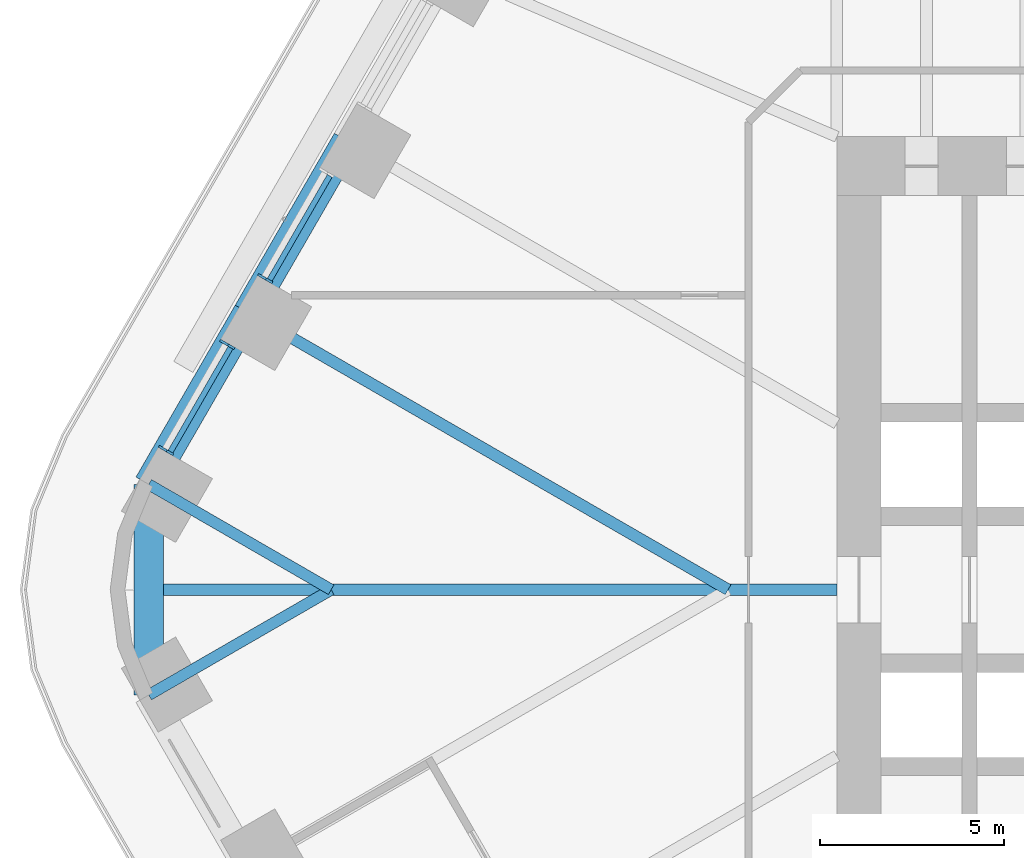
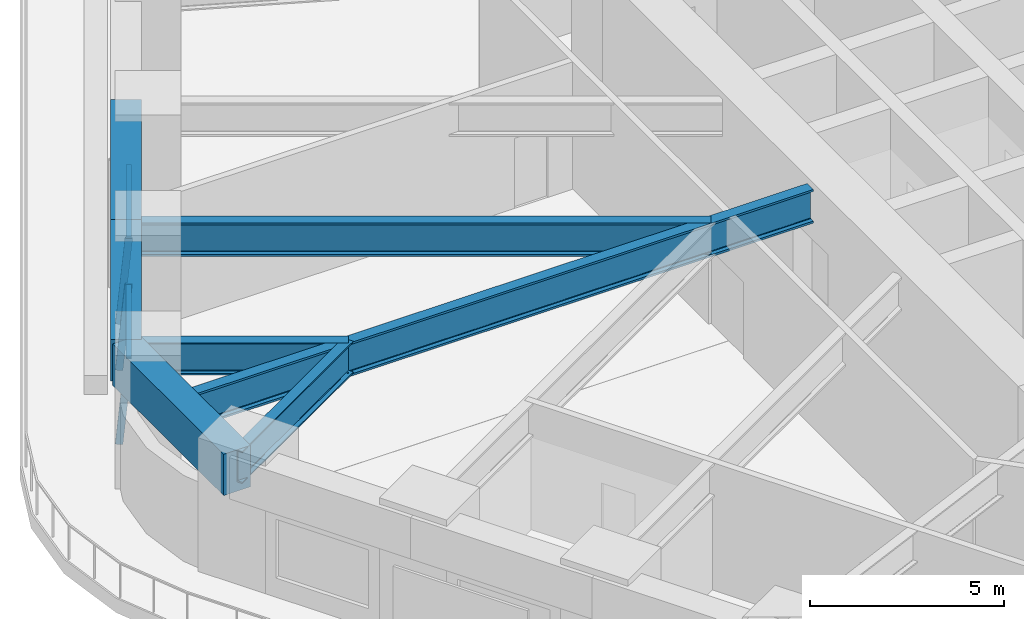
# One storey, part 6 of 24: 7 beams, 5 members, 2 elements without a shape of their own.
"""IFC4 building model written with IfcOpenShell, lengths in metres."""

from ifc_helpers import new_model, si_unit, direction, frame, origin, origin_2d, place, context, subcontext, project, spatial, rectangle, i_section, extrude, material, material_profile, profile_set, type_object, element, aggregate, save


model = new_model("IFC4")

# Units and contexts
model_context = context("Model", 3, precision=1e-05, world=origin(), true_north=direction((0.0, 1.0)))
body_context = subcontext(model_context, "Body", "Model", "MODEL_VIEW")
ifc_project = project(units=[si_unit("LENGTHUNIT", "METRE"), si_unit("AREAUNIT", "SQUARE_METRE"), si_unit("VOLUMEUNIT", "CUBIC_METRE"), si_unit("PLANEANGLEUNIT", "RADIAN"), si_unit("MASSUNIT", "GRAM", prefix="KILO")], contexts=[model_context])

# Site, building, storey
site_placement = place(None, origin())
site = spatial("IfcSite", under=ifc_project, at=site_placement, CompositionType="ELEMENT")
building_placement = place(site_placement, origin())
building = spatial("IfcBuilding", under=site, at=building_placement, Name="Tarfa Lantern Tower", CompositionType="ELEMENT")
storey_placement = place(building_placement, frame((0.0, 0.0, 65.5)))
storey = spatial("IfcBuildingStorey", under=building, at=storey_placement, Name="L14", CompositionType="ELEMENT", Elevation=65.5)

# Curtain wall, member
ifc_material_1 = material(Name="Aluminium framed curtain wall", Category="aluminium")
curtain_wall_type = type_object("IfcCurtainWallType", Name="CW1 CANTED GLAZING LOW ZONE 2700", PredefinedType="USERDEFINED", material=ifc_material_1)
curtain_wall_1_placement = place(storey_placement, origin())
curtain_wall_1 = element("IfcCurtainWall", 1, at=curtain_wall_1_placement, inside=storey, type_object=curtain_wall_type, Name="CW1 NW L14", ObjectType="CURTAIN WALL", PredefinedType="USERDEFINED")
ifc_material_2 = material(Name="Aluminium mullion", Category="aluminium")
ifc_material_profile_1 = material_profile(ifc_material_2, rectangle(XDim=0.06494140625, YDim=0.199951171875, at=origin_2d()), Name="AL MULLION 65x200")
ifc_profile_set_1 = profile_set([ifc_material_profile_1], Name="Aluminium mullion")
member_type_1 = type_object("IfcMemberType", Name="CWM1 MULLION 65x200", PredefinedType="MULLION", material=ifc_profile_set_1)
member_1_placement = place(storey_placement, frame((-34.230712890625, 8.5107421875, 0.0), z_axis=(0.07986442134, -0.046099868913, 0.99573916077), x_axis=(0.499919672301, 0.866071776036, 0.0)))
member_1 = element("IfcMember", 2, at=member_1_placement, type_object=member_type_1, Name="CW1 mullion 2", PredefinedType="MULLION", context=body_context, shape_type="SweptSolid", body=[
    extrude(rectangle(XDim=0.06494140625, YDim=0.199951171875, at=origin_2d()), origin(), (0.0, 0.0, 1.0), 2.71142578125),
])

# Curtain wall, members
curtain_wall_2_placement = place(storey_placement, origin())
curtain_wall_2 = element("IfcCurtainWall", 3, at=curtain_wall_2_placement, inside=storey, type_object=curtain_wall_type, Name="CW1 NW L14", ObjectType="CURTAIN WALL", PredefinedType="USERDEFINED")
member_2_placement = place(storey_placement, frame((-35.26318359375, 6.722412109375, 0.0), z_axis=(0.07986442134, -0.046099868913, 0.99573916077), x_axis=(0.499919672301, 0.866071776036, 0.0)))
member_2 = element("IfcMember", 4, at=member_2_placement, type_object=member_type_1, Name="CW1 mullion 1", PredefinedType="MULLION", context=body_context, shape_type="SweptSolid", body=[
    extrude(rectangle(XDim=0.06494140625, YDim=0.199951171875, at=origin_2d()), origin(), (0.0, 0.0, 1.0), 2.71142578125),
])
member_3_placement = place(storey_placement, frame((-36.9248046875, 3.84423828125, 0.0), z_axis=(0.079774955866, -0.04610020023, 0.995746317068), x_axis=(0.500342721131, 0.865827443207, 0.0)))
member_3 = element("IfcMember", 5, at=member_3_placement, type_object=member_type_1, Name="CW1 mullion 2", PredefinedType="MULLION", context=body_context, shape_type="SweptSolid", body=[
    extrude(rectangle(XDim=0.06494140625, YDim=0.199951171875, at=origin_2d()), origin(), (0.0, 0.0, 1.0), 2.71142578125),
])

# Member
ifc_material_3 = material(Name="Aluminium transom", Category="aluminium")
ifc_material_profile_2 = material_profile(ifc_material_3, rectangle(XDim=0.14990234375, YDim=0.06494140625, at=origin_2d()), Name="AL TRANSOM 150x65")
ifc_profile_set_2 = profile_set([ifc_material_profile_2], Name="Aluminium transom")
member_type_2 = type_object("IfcMemberType", Name="CWT1 TRANSOM 150x65", PredefinedType="USERDEFINED", material=ifc_profile_set_2)
member_4_placement = place(storey_placement, frame((-32.37109375, 11.237548828125, 2.66748046875), z_axis=(-0.500022939057, -0.866012159509, 0.0), x_axis=(0.866012159509, -0.500022939057, 0.0)))
member_4 = element("IfcMember", 6, at=member_4_placement, type_object=member_type_2, Name="CW1 transom 1.2", ObjectType="TRANSOM", PredefinedType="USERDEFINED", context=body_context, shape_type="SweptSolid", body=[
    extrude(rectangle(XDim=0.14990234375, YDim=0.06494140625, at=origin_2d()), origin(), (0.0, 0.0, 1.0), 3.258544921875),
])

aggregate(curtain_wall_1, [member_1, member_4])

member_5_placement = place(storey_placement, frame((-35.0654296875, 6.57080078125, 2.66748046875), z_axis=(-0.500022939057, -0.866012159509, 0.0), x_axis=(0.866012159509, -0.500022939057, 0.0)))
member_5 = element("IfcMember", 7, at=member_5_placement, type_object=member_type_2, Name="CW1 transom 1.2", ObjectType="TRANSOM", PredefinedType="USERDEFINED", context=body_context, shape_type="SweptSolid", body=[
    extrude(rectangle(XDim=0.14990234375, YDim=0.06494140625, at=origin_2d()), origin(), (0.0, 0.0, 1.0), 3.258544921875),
])

aggregate(curtain_wall_2, [member_2, member_3, member_5])

# Beams
ifc_material_4 = material(Name="Concrete C80/95", Category="concrete")
ifc_material_profile_3 = material_profile(ifc_material_4, rectangle(XDim=0.800048828125, YDim=1.300048828125, at=origin_2d()), Name="RC 800x1300")
ifc_profile_set_3 = profile_set([ifc_material_profile_3], Name="Concrete C80/95")
beam_type_1 = type_object("IfcBeamType", Name="EB1 RC 800x1300", PredefinedType="SPANDREL", material=ifc_profile_set_3)
beam_1_placement = place(storey_placement, frame((-31.896728515625, 12.193359375, 3.35009765625), z_axis=(-0.499998287579, -0.866026392449, 0.0), x_axis=(0.866026392449, -0.499998287579, 0.0)))
element("IfcBeam", 8, at=beam_1_placement, inside=storey, type_object=beam_type_1, Name="Edge beam NW4", PredefinedType="SPANDREL", context=body_context, shape_type="SweptSolid", body=[
    extrude(rectangle(XDim=0.800048828125, YDim=1.300048828125, at=origin_2d()), origin(), (0.0, 0.0, 1.0), 5.388671875),
])
beam_2_placement = place(storey_placement, frame((-34.591064453125, 7.526611328125, 3.35009765625), z_axis=(-0.500017906299, -0.866015065331, 0.0), x_axis=(0.866015065331, -0.500017906299, 0.0)))
element("IfcBeam", 9, at=beam_2_placement, inside=storey, type_object=beam_type_1, Name="Edge beam NW5", PredefinedType="SPANDREL", context=body_context, shape_type="SweptSolid", body=[
    extrude(rectangle(XDim=0.800048828125, YDim=1.300048828125, at=origin_2d()), origin(), (0.0, 0.0, 1.0), 5.388427734375),
])
beam_3_placement = place(storey_placement, frame((-37.285400390625, 2.860107421875, 3.35009765625), z_axis=(0.0, -1.0, 0.0), x_axis=(1.0, 0.0, 0.0)))
element("IfcBeam", 10, at=beam_3_placement, inside=storey, type_object=beam_type_1, Name="Edge beam NW6", PredefinedType="SPANDREL", context=body_context, shape_type="SweptSolid", body=[
    extrude(rectangle(XDim=0.800048828125, YDim=1.300048828125, at=origin_2d()), origin(), (0.0, 0.0, 1.0), 5.72021484375),
])
ifc_material_5 = material(Name="Steel S460M", Category="steel")
ifc_material_profile_4 = material_profile(ifc_material_5, i_section(OverallWidth=0.302001953125, OverallDepth=1.008056640625, WebThickness=0.02099609375, FlangeThickness=0.0400390625, FilletRadius=0.030029296875, at=origin_2d()), Name="UB1016x305x349")
ifc_profile_set_4 = profile_set([ifc_material_profile_4], Name="Steel S460M")
beam_type_2 = type_object("IfcBeamType", Name="UB1016x305x349", PredefinedType="BEAM", material=ifc_profile_set_4)
for number, where, z_axis, x_axis, name in (
    (11, (-37.285400390625, 2.860107421875, 3.495849609375), (0.866025668288, -0.499999541866, 0.0), (0.499999541866, 0.866025668288, 0.0), "Floor beam NW6"),
    (12, (-37.285400390625, -2.860107421875, 3.495849609375), (0.866025668288, 0.499999541866, 0.0), (-0.499999541866, 0.866025668288, 0.0), "Floor beam SW0"),
):
    element("IfcBeam", number, at=place(storey_placement, frame(where, z_axis=z_axis, x_axis=x_axis)), inside=storey, type_object=beam_type_2, Name=name, PredefinedType="BEAM", context=body_context, shape_type="SweptSolid", body=[
        extrude(i_section(OverallWidth=0.302001953125, OverallDepth=1.008056640625, WebThickness=0.02099609375, FlangeThickness=0.0400390625, FilletRadius=0.030029296875, at=origin_2d()), origin(), (0.0, 0.0, 1.0), 5.72021484375),
    ])
ifc_material_profile_5 = material_profile(ifc_material_5, i_section(OverallWidth=0.314208984375, OverallDepth=1.055908203125, WebThickness=0.035888671875, FlangeThickness=0.06396484375, FilletRadius=0.030029296875, at=origin_2d()), Name="UB1016x305x584")
ifc_profile_set_5 = profile_set([ifc_material_profile_5], Name="Steel S460M")
beam_type_3 = type_object("IfcBeamType", Name="UB1016x305x584", PredefinedType="BEAM", material=ifc_profile_set_5)
beam_4_placement = place(storey_placement, frame((-18.60009765625, 0.0, 3.471923828125), z_axis=(-1.0, 0.0, 0.0), x_axis=(0.0, -1.0, 0.0)))
element("IfcBeam", 13, at=beam_4_placement, inside=storey, type_object=beam_type_3, Name="Hip girder W", PredefinedType="BEAM", context=body_context, shape_type="SweptSolid", body=[
    extrude(i_section(OverallWidth=0.314208984375, OverallDepth=1.055908203125, WebThickness=0.035888671875, FlangeThickness=0.06396484375, FilletRadius=0.030029296875, at=origin_2d()), origin(), (0.0, 0.0, 1.0), 18.685302734375),
])
beam_5_placement = place(storey_placement, frame((-34.591064453125, 7.526611328125, 3.471923828125), z_axis=(0.86602785945, -0.499995746638, 0.0), x_axis=(0.499995746638, 0.86602785945, 0.0)))
element("IfcBeam", 14, at=beam_5_placement, inside=storey, type_object=beam_type_3, Name="Floor beam NW5", PredefinedType="BEAM", context=body_context, shape_type="SweptSolid", body=[
    extrude(i_section(OverallWidth=0.314208984375, OverallDepth=1.055908203125, WebThickness=0.035888671875, FlangeThickness=0.06396484375, FilletRadius=0.030029296875, at=origin_2d()), origin(), (0.0, 0.0, 1.0), 15.053466796875),
])

save(model, "model.ifc")
